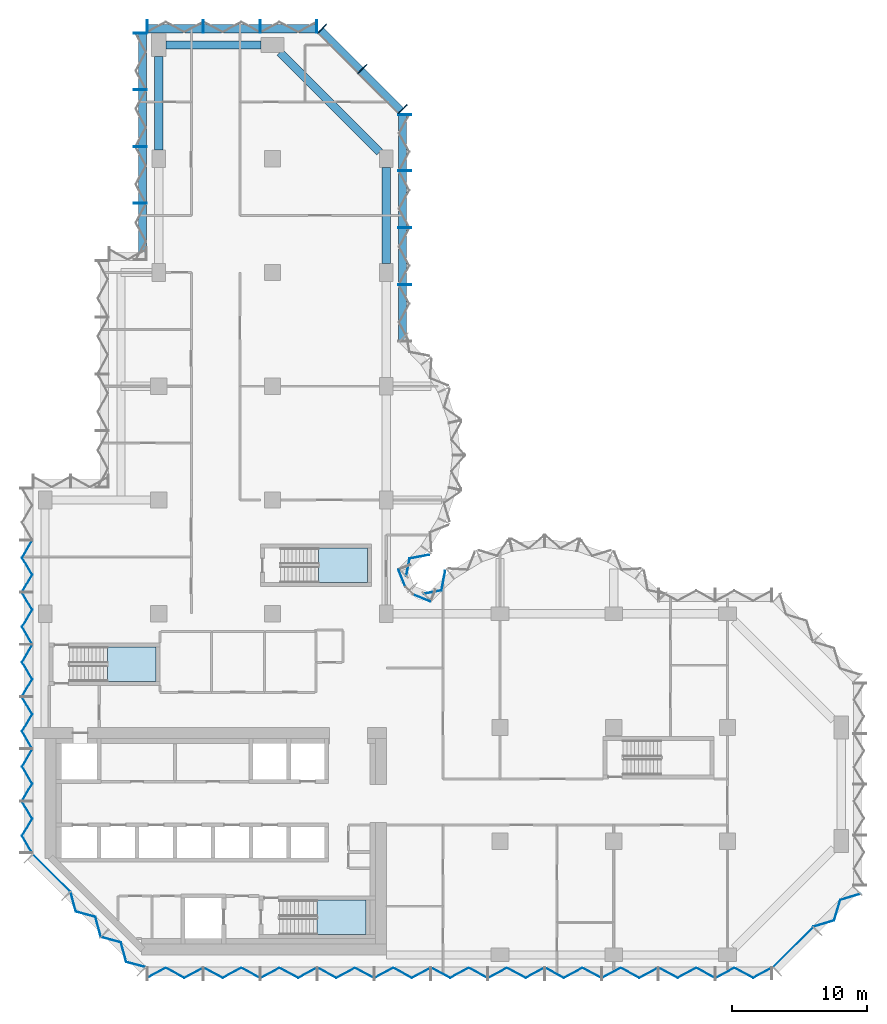
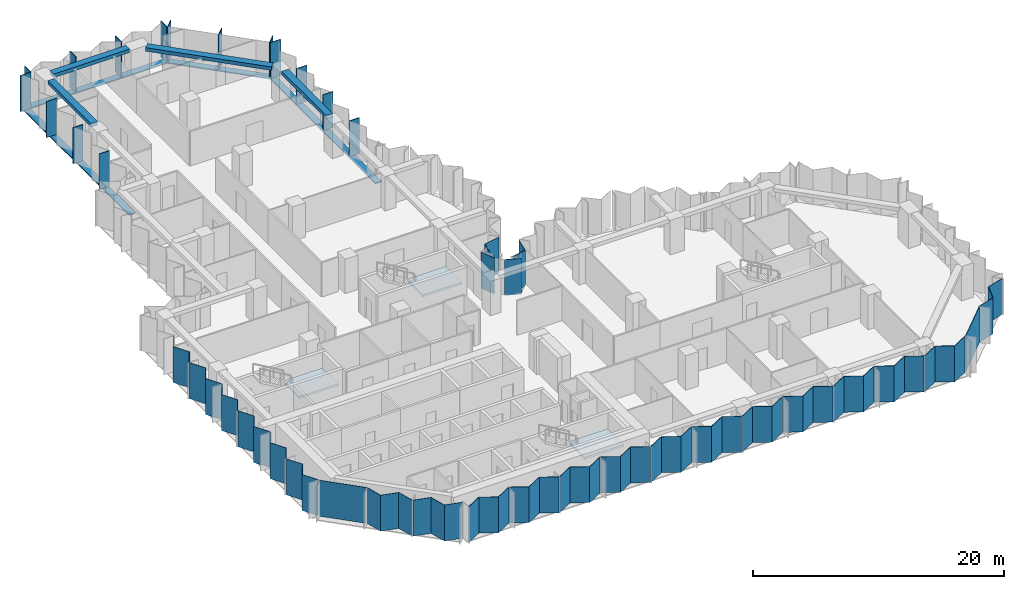
# One storey, part 3 of 11: 26 plates, 19 members, 4 beams, 3 slabs, 14 elements without a shape of their own.
"""IFC4 building model written with IfcOpenShell, lengths in metres."""

from ifc_helpers import new_model, si_unit, direction, frame, origin, origin_2d, place, context, subcontext, project, spatial, polyline, rectangle, outline, extrude, material, layer, layer_set, material_profile, profile_set, type_object, element, aggregate, save


model = new_model("IFC4")

# Units and contexts
model_context = context("Model", 3, precision=1e-05, world=origin(), true_north=direction((0.0, 1.0)))
body_context = subcontext(model_context, "Body", "Model", "MODEL_VIEW")
ifc_project = project(units=[si_unit("LENGTHUNIT", "METRE"), si_unit("AREAUNIT", "SQUARE_METRE"), si_unit("VOLUMEUNIT", "CUBIC_METRE"), si_unit("PLANEANGLEUNIT", "RADIAN"), si_unit("MASSUNIT", "GRAM", prefix="KILO")], contexts=[model_context])

# Site, building, storey
site_placement = place(None, origin())
site = spatial("IfcSite", under=ifc_project, at=site_placement, CompositionType="ELEMENT")
building_placement = place(site_placement, origin())
building = spatial("IfcBuilding", under=site, at=building_placement, Name="Brevane Broadcast Tower", CompositionType="ELEMENT")
storey_placement = place(building_placement, frame((0.0, 0.0, 138.5)))
storey = spatial("IfcBuildingStorey", under=building, at=storey_placement, Name="L34", CompositionType="ELEMENT", Elevation=138.5)

# Curtain wall, members
ifc_material_1 = material(Name="Aluminium 6063-T6 bronze anodised", Category="aluminium")
curtain_wall_type = type_object("IfcCurtainWallType", Name="CW-1 curtain wall", PredefinedType="NOTDEFINED", material=ifc_material_1)
curtain_wall_1_placement = place(storey_placement, origin())
curtain_wall_1 = element("IfcCurtainWall", 1, at=curtain_wall_1_placement, inside=storey, type_object=curtain_wall_type, Name="CW-1 typical tilted unit L34 north arm east face", PredefinedType="NOTDEFINED")
ifc_material_profile_1 = material_profile(ifc_material_1, rectangle(XDim=0.949951171875, YDim=0.070068359375, at=origin_2d()), Name="RECT 70x950")
ifc_profile_set_1 = profile_set([ifc_material_profile_1], Name="Aluminium 6063-T6 bronze anodised")
member_type_1 = type_object("IfcMemberType", Name="CW-1 mullion 70x950", PredefinedType="MULLION", material=ifc_profile_set_1)
member_1_placement = place(storey_placement, frame((26.574951171875, 49.5, -0.14990234375), z_axis=(0.0, 0.0, 1.0), x_axis=(-1.0, 0.0, 0.0)))
member_1 = element("IfcMember", 2, at=member_1_placement, type_object=member_type_1, Name="CW-1 mullion", PredefinedType="MULLION", context=body_context, shape_type="SweptSolid", body=[
    extrude(rectangle(XDim=0.949951171875, YDim=0.070068359375, at=origin_2d()), origin(), (0.0, 0.0, 1.0), 3.5),
])
member_2_placement = place(storey_placement, frame((26.574951171875, 53.699951171875, -0.14990234375), z_axis=(0.0, 0.0, 1.0), x_axis=(-1.0, 0.0, 0.0)))
member_2 = element("IfcMember", 3, at=member_2_placement, type_object=member_type_1, Name="CW-1 mullion", PredefinedType="MULLION", context=body_context, shape_type="SweptSolid", body=[
    extrude(rectangle(XDim=0.949951171875, YDim=0.070068359375, at=origin_2d()), origin(), (0.0, 0.0, 1.0), 3.5),
])
member_3_placement = place(storey_placement, frame((26.574951171875, 57.89990234375, -0.14990234375), z_axis=(0.0, 0.0, 1.0), x_axis=(-1.0, 0.0, 0.0)))
member_3 = element("IfcMember", 4, at=member_3_placement, type_object=member_type_1, Name="CW-1 mullion", PredefinedType="MULLION", context=body_context, shape_type="SweptSolid", body=[
    extrude(rectangle(XDim=0.949951171875, YDim=0.070068359375, at=origin_2d()), origin(), (0.0, 0.0, 1.0), 3.5),
])
member_4_placement = place(storey_placement, frame((26.574951171875, 62.06494140625, -0.14990234375), z_axis=(0.0, 0.0, 1.0), x_axis=(-1.0, 0.0, 0.0)))
member_4 = element("IfcMember", 5, at=member_4_placement, type_object=member_type_1, Name="CW-1 mullion", PredefinedType="MULLION", context=body_context, shape_type="SweptSolid", body=[
    extrude(rectangle(XDim=0.949951171875, YDim=0.070068359375, at=origin_2d()), origin(), (0.0, 0.0, 1.0), 3.5),
])

curtain_wall_2_placement = place(storey_placement, origin())
curtain_wall_2 = element("IfcCurtainWall", 6, at=curtain_wall_2_placement, inside=storey, type_object=curtain_wall_type, Name="CW-1 typical tilted unit L34 north arm north-east chamfer", PredefinedType="NOTDEFINED")
member_5_placement = place(storey_placement, frame((26.4111328125, 62.460693359375, -0.14990234375), z_axis=(0.0, 0.0, 1.0), x_axis=(-0.707106781187, -0.707106781187, 0.0)))
member_5 = element("IfcMember", 7, at=member_5_placement, type_object=member_type_1, Name="CW-1 mullion", PredefinedType="MULLION", context=body_context, shape_type="SweptSolid", body=[
    extrude(rectangle(XDim=0.949951171875, YDim=0.070068359375, at=origin_2d()), origin(), (0.0, 0.0, 1.0), 3.5),
])
member_6_placement = place(storey_placement, frame((23.435791015625, 65.435791015625, -0.14990234375), z_axis=(0.0, 0.0, 1.0), x_axis=(-0.707106781187, -0.707106781187, 0.0)))
member_6 = element("IfcMember", 8, at=member_6_placement, type_object=member_type_1, Name="CW-1 mullion", PredefinedType="MULLION", context=body_context, shape_type="SweptSolid", body=[
    extrude(rectangle(XDim=0.949951171875, YDim=0.070068359375, at=origin_2d()), origin(), (0.0, 0.0, 1.0), 3.5),
])
member_7_placement = place(storey_placement, frame((20.460693359375, 68.4111328125, -0.14990234375), z_axis=(0.0, 0.0, 1.0), x_axis=(-0.707106781187, -0.707106781187, 0.0)))
member_7 = element("IfcMember", 9, at=member_7_placement, type_object=member_type_1, Name="CW-1 mullion", PredefinedType="MULLION", context=body_context, shape_type="SweptSolid", body=[
    extrude(rectangle(XDim=0.949951171875, YDim=0.070068359375, at=origin_2d()), origin(), (0.0, 0.0, 1.0), 3.5),
])

curtain_wall_3_placement = place(storey_placement, origin())
curtain_wall_3 = element("IfcCurtainWall", 10, at=curtain_wall_3_placement, inside=storey, type_object=curtain_wall_type, Name="CW-1 typical tilted unit L34 north end", PredefinedType="NOTDEFINED")
member_8_placement = place(storey_placement, frame((20.06494140625, 68.574951171875, -0.14990234375), z_axis=(0.0, 0.0, 1.0), x_axis=(0.0, -1.0, 0.0)))
member_8 = element("IfcMember", 11, at=member_8_placement, type_object=member_type_1, Name="CW-1 mullion", PredefinedType="MULLION", context=body_context, shape_type="SweptSolid", body=[
    extrude(rectangle(XDim=0.949951171875, YDim=0.070068359375, at=origin_2d()), origin(), (0.0, 0.0, 1.0), 3.5),
])
member_9_placement = place(storey_placement, frame((15.89990234375, 68.574951171875, -0.14990234375), z_axis=(0.0, 0.0, 1.0), x_axis=(0.0, -1.0, 0.0)))
member_9 = element("IfcMember", 12, at=member_9_placement, type_object=member_type_1, Name="CW-1 mullion", PredefinedType="MULLION", context=body_context, shape_type="SweptSolid", body=[
    extrude(rectangle(XDim=0.949951171875, YDim=0.070068359375, at=origin_2d()), origin(), (0.0, 0.0, 1.0), 3.5),
])
member_10_placement = place(storey_placement, frame((11.699951171875, 68.574951171875, -0.14990234375), z_axis=(0.0, 0.0, 1.0), x_axis=(0.0, -1.0, 0.0)))
member_10 = element("IfcMember", 13, at=member_10_placement, type_object=member_type_1, Name="CW-1 mullion", PredefinedType="MULLION", context=body_context, shape_type="SweptSolid", body=[
    extrude(rectangle(XDim=0.949951171875, YDim=0.070068359375, at=origin_2d()), origin(), (0.0, 0.0, 1.0), 3.5),
])
member_11_placement = place(storey_placement, frame((7.534912109375, 68.574951171875, -0.14990234375), z_axis=(0.0, 0.0, 1.0), x_axis=(0.0, -1.0, 0.0)))
member_11 = element("IfcMember", 14, at=member_11_placement, type_object=member_type_1, Name="CW-1 mullion", PredefinedType="MULLION", context=body_context, shape_type="SweptSolid", body=[
    extrude(rectangle(XDim=0.949951171875, YDim=0.070068359375, at=origin_2d()), origin(), (0.0, 0.0, 1.0), 3.5),
])

curtain_wall_4_placement = place(storey_placement, origin())
curtain_wall_4 = element("IfcCurtainWall", 15, at=curtain_wall_4_placement, inside=storey, type_object=curtain_wall_type, Name="CW-1 typical tilted unit L34 north wing west face above the set-back", PredefinedType="NOTDEFINED")
member_12_placement = place(storey_placement, frame((7.02490234375, 68.06494140625, -0.14990234375), z_axis=(0.0, 0.0, 1.0), x_axis=(1.0, 0.0, 0.0)))
member_12 = element("IfcMember", 16, at=member_12_placement, type_object=member_type_1, Name="CW-1 mullion", PredefinedType="MULLION", context=body_context, shape_type="SweptSolid", body=[
    extrude(rectangle(XDim=0.949951171875, YDim=0.070068359375, at=origin_2d()), origin(), (0.0, 0.0, 1.0), 3.5),
])
member_13_placement = place(storey_placement, frame((7.02490234375, 63.89990234375, -0.14990234375), z_axis=(0.0, 0.0, 1.0), x_axis=(1.0, 0.0, 0.0)))
member_13 = element("IfcMember", 17, at=member_13_placement, type_object=member_type_1, Name="CW-1 mullion", PredefinedType="MULLION", context=body_context, shape_type="SweptSolid", body=[
    extrude(rectangle(XDim=0.949951171875, YDim=0.070068359375, at=origin_2d()), origin(), (0.0, 0.0, 1.0), 3.5),
])
member_14_placement = place(storey_placement, frame((7.02490234375, 59.699951171875, -0.14990234375), z_axis=(0.0, 0.0, 1.0), x_axis=(1.0, 0.0, 0.0)))
member_14 = element("IfcMember", 18, at=member_14_placement, type_object=member_type_1, Name="CW-1 mullion", PredefinedType="MULLION", context=body_context, shape_type="SweptSolid", body=[
    extrude(rectangle(XDim=0.949951171875, YDim=0.070068359375, at=origin_2d()), origin(), (0.0, 0.0, 1.0), 3.5),
])
member_15_placement = place(storey_placement, frame((7.02490234375, 55.5, -0.14990234375), z_axis=(0.0, 0.0, 1.0), x_axis=(1.0, 0.0, 0.0)))
member_15 = element("IfcMember", 19, at=member_15_placement, type_object=member_type_1, Name="CW-1 mullion", PredefinedType="MULLION", context=body_context, shape_type="SweptSolid", body=[
    extrude(rectangle(XDim=0.949951171875, YDim=0.070068359375, at=origin_2d()), origin(), (0.0, 0.0, 1.0), 3.5),
])

# Member
ifc_material_profile_2 = material_profile(ifc_material_1, rectangle(XDim=0.60009765625, YDim=0.10009765625, at=origin_2d()), Name="RECT 100x600")
ifc_profile_set_2 = profile_set([ifc_material_profile_2], Name="Aluminium 6063-T6 bronze anodised")
member_type_2 = type_object("IfcMemberType", Name="CW-1 transom 100x600", PredefinedType="USERDEFINED", material=ifc_profile_set_2)
member_16_placement = place(storey_placement, frame((26.39990234375, 45.300048828125, -0.199951171875), z_axis=(0.0, 1.0, 0.0), x_axis=(-1.0, 0.0, 0.0)))
member_16 = element("IfcMember", 20, at=member_16_placement, type_object=member_type_2, Name="CW-1 transom", ObjectType="TRANSOM", PredefinedType="USERDEFINED", context=body_context, shape_type="SweptSolid", body=[
    extrude(rectangle(XDim=0.60009765625, YDim=0.10009765625, at=origin_2d()), origin(), (0.0, 0.0, 1.0), 16.800048828125),
])

aggregate(curtain_wall_1, [member_1, member_2, member_3, member_4, member_16])

member_17_placement = place(storey_placement, frame((26.31201171875, 62.31201171875, -0.199951171875), z_axis=(-0.707106781187, 0.707106781187, 0.0), x_axis=(-0.707106781187, -0.707106781187, 0.0)))
member_17 = element("IfcMember", 21, at=member_17_placement, type_object=member_type_2, Name="CW-1 transom", ObjectType="TRANSOM", PredefinedType="USERDEFINED", context=body_context, shape_type="SweptSolid", body=[
    extrude(rectangle(XDim=0.60009765625, YDim=0.10009765625, at=origin_2d()), origin(), (0.0, 0.0, 1.0), 8.4853515625),
])

aggregate(curtain_wall_2, [member_5, member_6, member_7, member_17])

member_18_placement = place(storey_placement, frame((20.10009765625, 68.39990234375, -0.199951171875), z_axis=(-1.0, 0.0, 0.0), x_axis=(0.0, -1.0, 0.0)))
member_18 = element("IfcMember", 22, at=member_18_placement, type_object=member_type_2, Name="CW-1 transom", ObjectType="TRANSOM", PredefinedType="USERDEFINED", context=body_context, shape_type="SweptSolid", body=[
    extrude(rectangle(XDim=0.60009765625, YDim=0.10009765625, at=origin_2d()), origin(), (0.0, 0.0, 1.0), 12.60009765625),
])

aggregate(curtain_wall_3, [member_8, member_9, member_10, member_11, member_18])

member_19_placement = place(storey_placement, frame((7.199951171875, 68.10009765625, -0.199951171875), z_axis=(0.0, -1.0, 0.0), x_axis=(1.0, 0.0, 0.0)))
member_19 = element("IfcMember", 23, at=member_19_placement, type_object=member_type_2, Name="CW-1 transom", ObjectType="TRANSOM", PredefinedType="USERDEFINED", context=body_context, shape_type="SweptSolid", body=[
    extrude(rectangle(XDim=0.60009765625, YDim=0.10009765625, at=origin_2d()), origin(), (0.0, 0.0, 1.0), 16.800048828125),
])

aggregate(curtain_wall_4, [member_12, member_13, member_14, member_15, member_19])

# Beams
ifc_material_2 = material(Name="Concrete C40/50", Category="concrete")
ifc_material_profile_3 = material_profile(ifc_material_2, rectangle(XDim=0.60009765625, YDim=0.35009765625, at=origin_2d()), Name="RC 600x350")
ifc_profile_set_3 = profile_set([ifc_material_profile_3], Name="Concrete C40/50")
beam_type = type_object("IfcBeamType", Name="RC SPANDREL BEAM 600x350 C40/50", PredefinedType="SPANDREL", material=ifc_profile_set_3)
beam_1_placement = place(storey_placement, frame((25.199951171875, 51.050048828125, 3.175048828125), z_axis=(0.0, 1.0, 0.0), x_axis=(-1.0, 0.0, 0.0)))
element("IfcBeam", 24, at=beam_1_placement, inside=storey, type_object=beam_type, Name="EB1 L34-13", PredefinedType="SPANDREL", context=body_context, shape_type="SweptSolid", body=[
    extrude(rectangle(XDim=0.60009765625, YDim=0.35009765625, at=origin_2d()), origin(), (0.0, 0.0, 1.0), 7.099853515625),
])
beam_2_placement = place(storey_placement, frame((24.699951171875, 59.300048828125, 3.175048828125), z_axis=(-0.707106781187, 0.707106781187, 0.0), x_axis=(-0.707106781187, -0.707106781187, 0.0)))
element("IfcBeam", 25, at=beam_2_placement, inside=storey, type_object=beam_type, Name="EB1 L34-14", PredefinedType="SPANDREL", context=body_context, shape_type="SweptSolid", body=[
    extrude(rectangle(XDim=0.60009765625, YDim=0.35009765625, at=origin_2d()), origin(), (0.0, 0.0, 1.0), 10.394287109375),
])
beam_3_placement = place(storey_placement, frame((15.949951171875, 67.199951171875, 3.175048828125), z_axis=(-1.0, 0.0, 0.0), x_axis=(0.0, -1.0, 0.0)))
element("IfcBeam", 26, at=beam_3_placement, inside=storey, type_object=beam_type, Name="EB1 L34-15", PredefinedType="SPANDREL", context=body_context, shape_type="SweptSolid", body=[
    extrude(rectangle(XDim=0.60009765625, YDim=0.35009765625, at=origin_2d()), origin(), (0.0, 0.0, 1.0), 7.0),
])
beam_4_placement = place(storey_placement, frame((8.39990234375, 59.449951171875, 3.175048828125), z_axis=(0.0, 1.0, 0.0), x_axis=(-1.0, 0.0, 0.0)))
element("IfcBeam", 27, at=beam_4_placement, inside=storey, type_object=beam_type, Name="EB1 L34-23", PredefinedType="SPANDREL", context=body_context, shape_type="SweptSolid", body=[
    extrude(rectangle(XDim=0.60009765625, YDim=0.35009765625, at=origin_2d()), origin(), (0.0, 0.0, 1.0), 6.900146484375),
])

# Curtain wall, plates
curtain_wall_5_placement = place(storey_placement, origin())
curtain_wall_5 = element("IfcCurtainWall", 28, at=curtain_wall_5_placement, inside=storey, type_object=curtain_wall_type, Name="CW-1 typical tilted unit L34 south face", PredefinedType="NOTDEFINED")
ifc_material_3 = material(Name="Laminated glass bronze-tinted", Category="glass")
ifc_layer_1 = layer(ifc_material_3, 0.0400390625)
ifc_layer_set_1 = layer_set([ifc_layer_1], Name="CW tall glass panel 40")
plate_type = type_object("IfcPlateType", Name="CW tall glass panel 40", PredefinedType="CURTAIN_PANEL", material=ifc_layer_set_1)
plate_1_placement = place(storey_placement, frame((0.0, 0.0, -0.14990234375)))
plate_1 = element("IfcPlate", 29, at=plate_1_placement, type_object=plate_type, Name="CW-1 glass panel", PredefinedType="CURTAIN_PANEL", context=body_context, shape_type="SweptSolid", body=[
    extrude(outline(polyline([(7.534912109375, -1.671630859375), (7.534912109375, -1.717041015625), (8.91162109375, -0.97265625), (10.288330078125, -1.717041015625), (11.6650390625, -0.97265625), (11.6650390625, -0.92724609375), (10.288330078125, -1.671630859375), (8.91162109375, -0.92724609375), (7.534912109375, -1.671630859375)])), origin(), (0.0, 0.0, 1.0), 3.5),
])
plate_2_placement = place(storey_placement, frame((0.0, 0.0, -0.14990234375)))
plate_2 = element("IfcPlate", 30, at=plate_2_placement, type_object=plate_type, Name="CW-1 glass panel", PredefinedType="CURTAIN_PANEL", context=body_context, shape_type="SweptSolid", body=[
    extrude(outline(polyline([(11.735107421875, -0.92724609375), (11.735107421875, -0.97265625), (13.11181640625, -1.717041015625), (14.48828125, -0.97265625), (15.864990234375, -1.717041015625), (15.864990234375, -1.671630859375), (14.48828125, -0.92724609375), (13.11181640625, -1.671630859375), (11.735107421875, -0.92724609375)])), origin(), (0.0, 0.0, 1.0), 3.5),
])
plate_3_placement = place(storey_placement, frame((0.0, 0.0, -0.14990234375)))
plate_3 = element("IfcPlate", 31, at=plate_3_placement, type_object=plate_type, Name="CW-1 glass panel", PredefinedType="CURTAIN_PANEL", context=body_context, shape_type="SweptSolid", body=[
    extrude(outline(polyline([(15.93505859375, -1.671630859375), (15.93505859375, -1.717041015625), (17.311767578125, -0.97265625), (18.688232421875, -1.717041015625), (20.06494140625, -0.97265625), (20.06494140625, -0.92724609375), (18.688232421875, -1.671630859375), (17.311767578125, -0.92724609375), (15.93505859375, -1.671630859375)])), origin(), (0.0, 0.0, 1.0), 3.5),
])
plate_4_placement = place(storey_placement, frame((0.0, 0.0, -0.14990234375)))
plate_4 = element("IfcPlate", 32, at=plate_4_placement, type_object=plate_type, Name="CW-1 glass panel", PredefinedType="CURTAIN_PANEL", context=body_context, shape_type="SweptSolid", body=[
    extrude(outline(polyline([(20.135009765625, -0.92724609375), (20.135009765625, -0.97265625), (21.51171875, -1.717041015625), (22.88818359375, -0.97265625), (24.264892578125, -1.717041015625), (24.264892578125, -1.671630859375), (22.88818359375, -0.92724609375), (21.51171875, -1.671630859375), (20.135009765625, -0.92724609375)])), origin(), (0.0, 0.0, 1.0), 3.5),
])
plate_5_placement = place(storey_placement, frame((0.0, 0.0, -0.14990234375)))
plate_5 = element("IfcPlate", 33, at=plate_5_placement, type_object=plate_type, Name="CW-1 glass panel", PredefinedType="CURTAIN_PANEL", context=body_context, shape_type="SweptSolid", body=[
    extrude(outline(polyline([(24.3349609375, -1.671630859375), (24.3349609375, -1.717041015625), (25.711669921875, -0.97265625), (27.08837890625, -1.717041015625), (28.465087890625, -0.97265625), (28.465087890625, -0.92724609375), (27.08837890625, -1.671630859375), (25.711669921875, -0.92724609375), (24.3349609375, -1.671630859375)])), origin(), (0.0, 0.0, 1.0), 3.5),
])
plate_6_placement = place(storey_placement, frame((0.0, 0.0, -0.14990234375)))
plate_6 = element("IfcPlate", 34, at=plate_6_placement, type_object=plate_type, Name="CW-1 glass panel", PredefinedType="CURTAIN_PANEL", context=body_context, shape_type="SweptSolid", body=[
    extrude(outline(polyline([(28.534912109375, -0.92724609375), (28.534912109375, -0.97265625), (29.91162109375, -1.717041015625), (31.288330078125, -0.97265625), (32.6650390625, -1.717041015625), (32.6650390625, -1.671630859375), (31.288330078125, -0.92724609375), (29.91162109375, -1.671630859375), (28.534912109375, -0.92724609375)])), origin(), (0.0, 0.0, 1.0), 3.5),
])
plate_7_placement = place(storey_placement, frame((0.0, 0.0, -0.14990234375)))
plate_7 = element("IfcPlate", 35, at=plate_7_placement, type_object=plate_type, Name="CW-1 glass panel", PredefinedType="CURTAIN_PANEL", context=body_context, shape_type="SweptSolid", body=[
    extrude(outline(polyline([(32.735107421875, -1.671630859375), (32.735107421875, -1.717041015625), (34.11181640625, -0.97265625), (35.48828125, -1.717041015625), (36.864990234375, -0.97265625), (36.864990234375, -0.92724609375), (35.48828125, -1.671630859375), (34.11181640625, -0.92724609375), (32.735107421875, -1.671630859375)])), origin(), (0.0, 0.0, 1.0), 3.5),
])
plate_8_placement = place(storey_placement, frame((0.0, 0.0, -0.14990234375)))
plate_8 = element("IfcPlate", 36, at=plate_8_placement, type_object=plate_type, Name="CW-1 glass panel", PredefinedType="CURTAIN_PANEL", context=body_context, shape_type="SweptSolid", body=[
    extrude(outline(polyline([(36.93505859375, -0.92724609375), (36.93505859375, -0.97265625), (38.311767578125, -1.717041015625), (39.688232421875, -0.97265625), (41.06494140625, -1.717041015625), (41.06494140625, -1.671630859375), (39.688232421875, -0.92724609375), (38.311767578125, -1.671630859375), (36.93505859375, -0.92724609375)])), origin(), (0.0, 0.0, 1.0), 3.5),
])
plate_9_placement = place(storey_placement, frame((0.0, 0.0, -0.14990234375)))
plate_9 = element("IfcPlate", 37, at=plate_9_placement, type_object=plate_type, Name="CW-1 glass panel", PredefinedType="CURTAIN_PANEL", context=body_context, shape_type="SweptSolid", body=[
    extrude(outline(polyline([(41.135009765625, -1.671630859375), (41.135009765625, -1.717041015625), (42.51171875, -0.97265625), (43.88818359375, -1.717041015625), (45.264892578125, -0.97265625), (45.264892578125, -0.92724609375), (43.88818359375, -1.671630859375), (42.51171875, -0.92724609375), (41.135009765625, -1.671630859375)])), origin(), (0.0, 0.0, 1.0), 3.5),
])
plate_10_placement = place(storey_placement, frame((0.0, 0.0, -0.14990234375)))
plate_10 = element("IfcPlate", 38, at=plate_10_placement, type_object=plate_type, Name="CW-1 glass panel", PredefinedType="CURTAIN_PANEL", context=body_context, shape_type="SweptSolid", body=[
    extrude(outline(polyline([(45.3349609375, -0.92724609375), (45.3349609375, -0.97265625), (46.711669921875, -1.717041015625), (48.08837890625, -0.97265625), (49.465087890625, -1.717041015625), (49.465087890625, -1.671630859375), (48.08837890625, -0.92724609375), (46.711669921875, -1.671630859375), (45.3349609375, -0.92724609375)])), origin(), (0.0, 0.0, 1.0), 3.5),
])
plate_11_placement = place(storey_placement, frame((0.0, 0.0, -0.14990234375)))
plate_11 = element("IfcPlate", 39, at=plate_11_placement, type_object=plate_type, Name="CW-1 glass panel", PredefinedType="CURTAIN_PANEL", context=body_context, shape_type="SweptSolid", body=[
    extrude(outline(polyline([(49.534912109375, -1.671630859375), (49.534912109375, -1.717041015625), (50.91162109375, -0.97265625), (52.288330078125, -1.717041015625), (53.6650390625, -0.97265625), (53.6650390625, -0.92724609375), (52.288330078125, -1.671630859375), (50.91162109375, -0.92724609375), (49.534912109375, -1.671630859375)])), origin(), (0.0, 0.0, 1.0), 3.5),
])
aggregate(curtain_wall_5, [plate_1, plate_2, plate_3, plate_4, plate_5, plate_6, plate_7, plate_8, plate_9, plate_10, plate_11])

curtain_wall_6_placement = place(storey_placement, origin())
curtain_wall_6 = element("IfcCurtainWall", 40, at=curtain_wall_6_placement, inside=storey, type_object=curtain_wall_type, Name="CW-1 typical tilted unit L34 south-east chamfer", PredefinedType="NOTDEFINED")
plate_12_placement = place(storey_placement, frame((0.0, 0.0, -0.14990234375)))
plate_12 = element("IfcPlate", 41, at=plate_12_placement, type_object=plate_type, Name="CW-1 glass panel", PredefinedType="CURTAIN_PANEL", context=body_context, shape_type="SweptSolid", body=[
    extrude(outline(polyline([(53.74609375, -0.896484375), (56.696533203125, 2.053955078125), (56.724609375, 2.02587890625), (53.774169921875, -0.9248046875), (53.74609375, -0.896484375)])), origin(), (0.0, 0.0, 1.0), 3.5),
])
plate_13_placement = place(storey_placement, frame((0.0, 0.0, -0.14990234375)))
plate_13 = element("IfcPlate", 42, at=plate_13_placement, type_object=plate_type, Name="CW-1 glass panel", PredefinedType="CURTAIN_PANEL", context=body_context, shape_type="SweptSolid", body=[
    extrude(outline(polyline([(56.744140625, 2.10546875), (56.776123046875, 2.073486328125), (58.285888671875, 2.530517578125), (58.7431640625, 4.040283203125), (60.2529296875, 4.49755859375), (60.220947265625, 4.529541015625), (58.711181640625, 4.072509765625), (58.25390625, 2.5625), (56.744140625, 2.10546875)])), origin(), (0.0, 0.0, 1.0), 3.5),
])
aggregate(curtain_wall_6, [plate_12, plate_13])

# Curtain wall, plate
curtain_wall_7_placement = place(storey_placement, origin())
curtain_wall_7 = element("IfcCurtainWall", 43, at=curtain_wall_7_placement, inside=storey, type_object=curtain_wall_type, Name="CW-1 typical tilted unit L34 east bow", PredefinedType="NOTDEFINED")
plate_14_placement = place(storey_placement, frame((0.0, 0.0, -0.14990234375)))
plate_14 = element("IfcPlate", 44, at=plate_14_placement, type_object=plate_type, Name="CW-1 glass panel", PredefinedType="CURTAIN_PANEL", context=body_context, shape_type="SweptSolid", body=[
    extrude(outline(polyline([(29.568603515625, 28.34375), (29.535888671875, 28.3857421875), (29.2607421875, 26.9423828125), (27.975341796875, 26.690185546875), (28.008544921875, 26.656005859375), (29.294921875, 26.908203125), (29.568603515625, 28.34375)])), origin(), (0.0, 0.0, 1.0), 3.5),
])
aggregate(curtain_wall_7, [plate_14])

# Curtain wall, plates
curtain_wall_8_placement = place(storey_placement, origin())
curtain_wall_8 = element("IfcCurtainWall", 45, at=curtain_wall_8_placement, inside=storey, type_object=curtain_wall_type, Name="CW-1 typical tilted unit L34 inner corner", PredefinedType="NOTDEFINED")
plate_15_placement = place(storey_placement, frame((0.0, 0.0, -0.14990234375)))
plate_15 = element("IfcPlate", 46, at=plate_15_placement, type_object=plate_type, Name="CW-1 glass panel", PredefinedType="CURTAIN_PANEL", context=body_context, shape_type="SweptSolid", body=[
    extrude(outline(polyline([(28.45166015625, 26.07470703125), (28.466796875, 26.111572265625), (27.2021484375, 26.635498046875), (27.17138671875, 26.60498046875), (28.45166015625, 26.07470703125)])), origin(), (0.0, 0.0, 1.0), 3.5),
])
plate_16_placement = place(storey_placement, frame((0.0, 0.0, -0.14990234375)))
plate_16 = element("IfcPlate", 47, at=plate_16_placement, type_object=plate_type, Name="CW-1 glass panel", PredefinedType="CURTAIN_PANEL", context=body_context, shape_type="SweptSolid", body=[
    extrude(outline(polyline([(26.60498046875, 27.17138671875), (26.635498046875, 27.2021484375), (26.111572265625, 28.466796875), (26.07470703125, 28.45166015625), (26.60498046875, 27.17138671875)])), origin(), (0.0, 0.0, 1.0), 3.5),
])
aggregate(curtain_wall_8, [plate_15, plate_16])

# Curtain wall, plate
curtain_wall_9_placement = place(storey_placement, origin())
curtain_wall_9 = element("IfcCurtainWall", 48, at=curtain_wall_9_placement, inside=storey, type_object=curtain_wall_type, Name="CW-1 typical tilted unit L34 north bow", PredefinedType="NOTDEFINED")
plate_17_placement = place(storey_placement, frame((0.0, 0.0, -0.14990234375)))
plate_17 = element("IfcPlate", 49, at=plate_17_placement, type_object=plate_type, Name="CW-1 glass panel", PredefinedType="CURTAIN_PANEL", context=body_context, shape_type="SweptSolid", body=[
    extrude(outline(polyline([(26.656005859375, 28.008544921875), (26.690185546875, 27.975341796875), (26.9423828125, 29.2607421875), (28.3857421875, 29.535888671875), (28.34375, 29.568603515625), (26.908203125, 29.294921875), (26.656005859375, 28.008544921875)])), origin(), (0.0, 0.0, 1.0), 3.5),
])
aggregate(curtain_wall_9, [plate_17])

# Curtain wall, plates
curtain_wall_10_placement = place(storey_placement, origin())
curtain_wall_10 = element("IfcCurtainWall", 50, at=curtain_wall_10_placement, inside=storey, type_object=curtain_wall_type, Name="CW-1 typical tilted unit L34 west face", PredefinedType="NOTDEFINED")
plate_18_placement = place(storey_placement, frame((0.0, 0.0, -0.14990234375)))
plate_18 = element("IfcPlate", 51, at=plate_18_placement, type_object=plate_type, Name="CW-1 glass panel", PredefinedType="CURTAIN_PANEL", context=body_context, shape_type="SweptSolid", body=[
    extrude(outline(polyline([(-0.9267578125, 30.60791015625), (-0.97314453125, 30.60791015625), (-1.717529296875, 29.345458984375), (-0.97314453125, 28.0830078125), (-1.717529296875, 26.82080078125), (-1.671142578125, 26.82080078125), (-0.9267578125, 28.0830078125), (-1.671142578125, 29.345458984375), (-0.9267578125, 30.60791015625)])), origin(), (0.0, 0.0, 1.0), 3.5),
])
plate_19_placement = place(storey_placement, frame((0.0, 0.0, -0.14990234375)))
plate_19 = element("IfcPlate", 52, at=plate_19_placement, type_object=plate_type, Name="CW-1 glass panel", PredefinedType="CURTAIN_PANEL", context=body_context, shape_type="SweptSolid", body=[
    extrude(outline(polyline([(-1.671142578125, 26.750732421875), (-1.717529296875, 26.750732421875), (-0.97314453125, 25.48828125), (-1.717529296875, 24.22607421875), (-0.97314453125, 22.963623046875), (-0.9267578125, 22.963623046875), (-1.671142578125, 24.22607421875), (-0.9267578125, 25.48828125), (-1.671142578125, 26.750732421875)])), origin(), (0.0, 0.0, 1.0), 3.5),
])
plate_20_placement = place(storey_placement, frame((0.0, 0.0, -0.14990234375)))
plate_20 = element("IfcPlate", 53, at=plate_20_placement, type_object=plate_type, Name="CW-1 glass panel", PredefinedType="CURTAIN_PANEL", context=body_context, shape_type="SweptSolid", body=[
    extrude(outline(polyline([(-0.9267578125, 22.8935546875), (-0.97314453125, 22.8935546875), (-1.717529296875, 21.631103515625), (-0.97314453125, 20.368896484375), (-1.717529296875, 19.1064453125), (-1.671142578125, 19.1064453125), (-0.9267578125, 20.368896484375), (-1.671142578125, 21.631103515625), (-0.9267578125, 22.8935546875)])), origin(), (0.0, 0.0, 1.0), 3.5),
])
plate_21_placement = place(storey_placement, frame((0.0, 0.0, -0.14990234375)))
plate_21 = element("IfcPlate", 54, at=plate_21_placement, type_object=plate_type, Name="CW-1 glass panel", PredefinedType="CURTAIN_PANEL", context=body_context, shape_type="SweptSolid", body=[
    extrude(outline(polyline([(-1.671142578125, 19.036376953125), (-1.717529296875, 19.036376953125), (-0.97314453125, 17.77392578125), (-1.717529296875, 16.51171875), (-0.97314453125, 15.249267578125), (-0.9267578125, 15.249267578125), (-1.671142578125, 16.51171875), (-0.9267578125, 17.77392578125), (-1.671142578125, 19.036376953125)])), origin(), (0.0, 0.0, 1.0), 3.5),
])
plate_22_placement = place(storey_placement, frame((0.0, 0.0, -0.14990234375)))
plate_22 = element("IfcPlate", 55, at=plate_22_placement, type_object=plate_type, Name="CW-1 glass panel", PredefinedType="CURTAIN_PANEL", context=body_context, shape_type="SweptSolid", body=[
    extrude(outline(polyline([(-0.9267578125, 15.17919921875), (-0.97314453125, 15.17919921875), (-1.717529296875, 13.9169921875), (-0.97314453125, 12.654541015625), (-1.717529296875, 11.39208984375), (-1.671142578125, 11.39208984375), (-0.9267578125, 12.654541015625), (-1.671142578125, 13.9169921875), (-0.9267578125, 15.17919921875)])), origin(), (0.0, 0.0, 1.0), 3.5),
])
plate_23_placement = place(storey_placement, frame((0.0, 0.0, -0.14990234375)))
plate_23 = element("IfcPlate", 56, at=plate_23_placement, type_object=plate_type, Name="CW-1 glass panel", PredefinedType="CURTAIN_PANEL", context=body_context, shape_type="SweptSolid", body=[
    extrude(outline(polyline([(-1.671142578125, 11.322021484375), (-1.717529296875, 11.322021484375), (-0.97314453125, 10.059814453125), (-1.717529296875, 8.79736328125), (-0.97314453125, 7.534912109375), (-0.9267578125, 7.534912109375), (-1.671142578125, 8.79736328125), (-0.9267578125, 10.059814453125), (-1.671142578125, 11.322021484375)])), origin(), (0.0, 0.0, 1.0), 3.5),
])
aggregate(curtain_wall_10, [plate_18, plate_19, plate_20, plate_21, plate_22, plate_23])

curtain_wall_11_placement = place(storey_placement, origin())
curtain_wall_11 = element("IfcCurtainWall", 57, at=curtain_wall_11_placement, inside=storey, type_object=curtain_wall_type, Name="CW-1 typical tilted unit L34 south-west chamfer", PredefinedType="NOTDEFINED")
plate_24_placement = place(storey_placement, frame((0.0, 0.0, -0.14990234375)))
plate_24 = element("IfcPlate", 58, at=plate_24_placement, type_object=plate_type, Name="CW-1 glass panel", PredefinedType="CURTAIN_PANEL", context=body_context, shape_type="SweptSolid", body=[
    extrude(outline(polyline([(-0.896484375, 7.4541015625), (1.85400390625, 4.70361328125), (1.82568359375, 4.67529296875), (-0.9248046875, 7.42578125), (-0.896484375, 7.4541015625)])), origin(), (0.0, 0.0, 1.0), 3.5),
])
plate_25_placement = place(storey_placement, frame((0.0, 0.0, -0.14990234375)))
plate_25 = element("IfcPlate", 59, at=plate_25_placement, type_object=plate_type, Name="CW-1 glass panel", PredefinedType="CURTAIN_PANEL", context=body_context, shape_type="SweptSolid", body=[
    extrude(outline(polyline([(1.90576171875, 4.65625), (1.873046875, 4.62353515625), (2.263671875, 3.180419921875), (3.706787109375, 2.789794921875), (4.09716796875, 1.3466796875), (4.1298828125, 1.37939453125), (3.739501953125, 2.822509765625), (2.296142578125, 3.212890625), (1.90576171875, 4.65625)])), origin(), (0.0, 0.0, 1.0), 3.5),
])
plate_26_placement = place(storey_placement, frame((0.0, 0.0, -0.14990234375)))
plate_26 = element("IfcPlate", 60, at=plate_26_placement, type_object=plate_type, Name="CW-1 glass panel", PredefinedType="CURTAIN_PANEL", context=body_context, shape_type="SweptSolid", body=[
    extrude(outline(polyline([(4.17919921875, 1.329833984375), (4.146728515625, 1.297119140625), (5.58984375, 0.90673828125), (5.98046875, -0.536376953125), (7.423583984375, -0.927001953125), (7.456298828125, -0.894287109375), (6.012939453125, -0.50390625), (5.62255859375, 0.939453125), (4.17919921875, 1.329833984375)])), origin(), (0.0, 0.0, 1.0), 3.5),
])
aggregate(curtain_wall_11, [plate_24, plate_25, plate_26])

# Stair, slab
ifc_material_4 = material(Name="Concrete C50/60", Category="concrete")
stair_type = type_object("IfcStairType", Name="Exit stair 22 risers", PredefinedType="HALF_TURN_STAIR", material=ifc_material_4)
stair_1_placement = place(storey_placement, origin())
stair_1 = element("IfcStair", 61, at=stair_1_placement, inside=storey, type_object=stair_type, Name="L34 Exit stair ST-1", PredefinedType="HALF_TURN_STAIR")
ifc_layer_2 = layer(ifc_material_4, 0.199951171875)
ifc_layer_set_2 = layer_set([ifc_layer_2], Name="Exit stair landing")
slab_type = type_object("IfcSlabType", Name="Exit stair landing", PredefinedType="LANDING", material=ifc_layer_set_2)
slab_1_placement = place(storey_placement, frame((0.0, 0.0, 1.60009765625)))
slab_1 = element("IfcSlab", 62, at=slab_1_placement, type_object=slab_type, Name="ST-1 landing 1", PredefinedType="LANDING", context=body_context, shape_type="SweptSolid", body=[
    extrude(outline(polyline([(4.60009765625, 20.199951171875), (8.199951171875, 20.199951171875), (8.199951171875, 22.75), (4.60009765625, 22.75), (4.60009765625, 20.199951171875)])), origin(), (0.0, 0.0, 1.0), 0.199951171875),
])
aggregate(stair_1, [slab_1])

stair_2_placement = place(storey_placement, origin())
stair_2 = element("IfcStair", 63, at=stair_2_placement, inside=storey, type_object=stair_type, Name="L34 Exit stair ST-2", PredefinedType="HALF_TURN_STAIR")
slab_2_placement = place(storey_placement, frame((0.0, 0.0, 1.60009765625)))
slab_2 = element("IfcSlab", 64, at=slab_2_placement, type_object=slab_type, Name="ST-2 landing 1", PredefinedType="LANDING", context=body_context, shape_type="SweptSolid", body=[
    extrude(outline(polyline([(20.10009765625, 1.5), (23.699951171875, 1.5), (23.699951171875, 4.050048828125), (20.10009765625, 4.050048828125), (20.10009765625, 1.5)])), origin(), (0.0, 0.0, 1.0), 0.199951171875),
])
aggregate(stair_2, [slab_2])

stair_3_placement = place(storey_placement, origin())
stair_3 = element("IfcStair", 65, at=stair_3_placement, inside=storey, type_object=stair_type, Name="L34 Exit stair ST-3", PredefinedType="HALF_TURN_STAIR")
slab_3_placement = place(storey_placement, frame((0.0, 0.0, 1.60009765625)))
slab_3 = element("IfcSlab", 66, at=slab_3_placement, type_object=slab_type, Name="ST-3 landing 1", PredefinedType="LANDING", context=body_context, shape_type="SweptSolid", body=[
    extrude(outline(polyline([(20.199951171875, 27.5), (23.800048828125, 27.5), (23.800048828125, 30.050048828125), (20.199951171875, 30.050048828125), (20.199951171875, 27.5)])), origin(), (0.0, 0.0, 1.0), 0.199951171875),
])
aggregate(stair_3, [slab_3])

save(model, "model.ifc")
